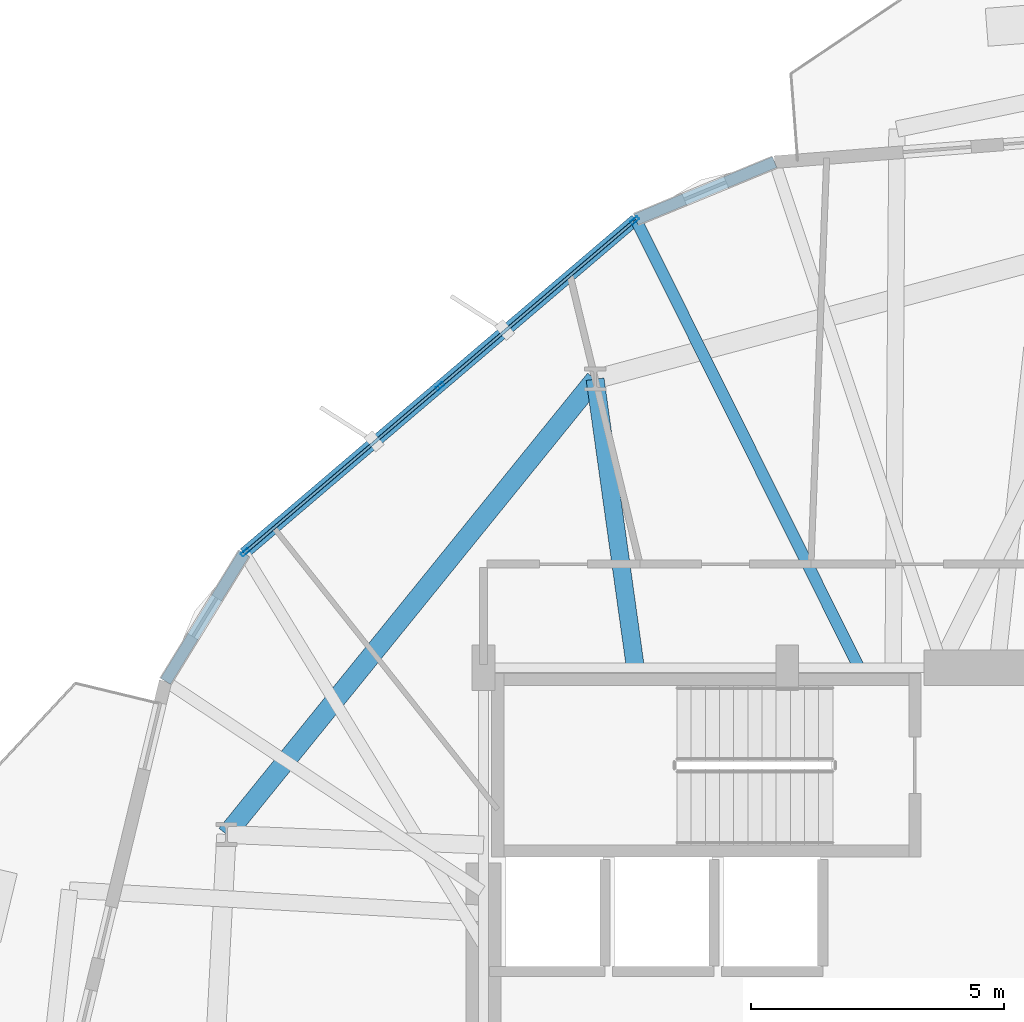
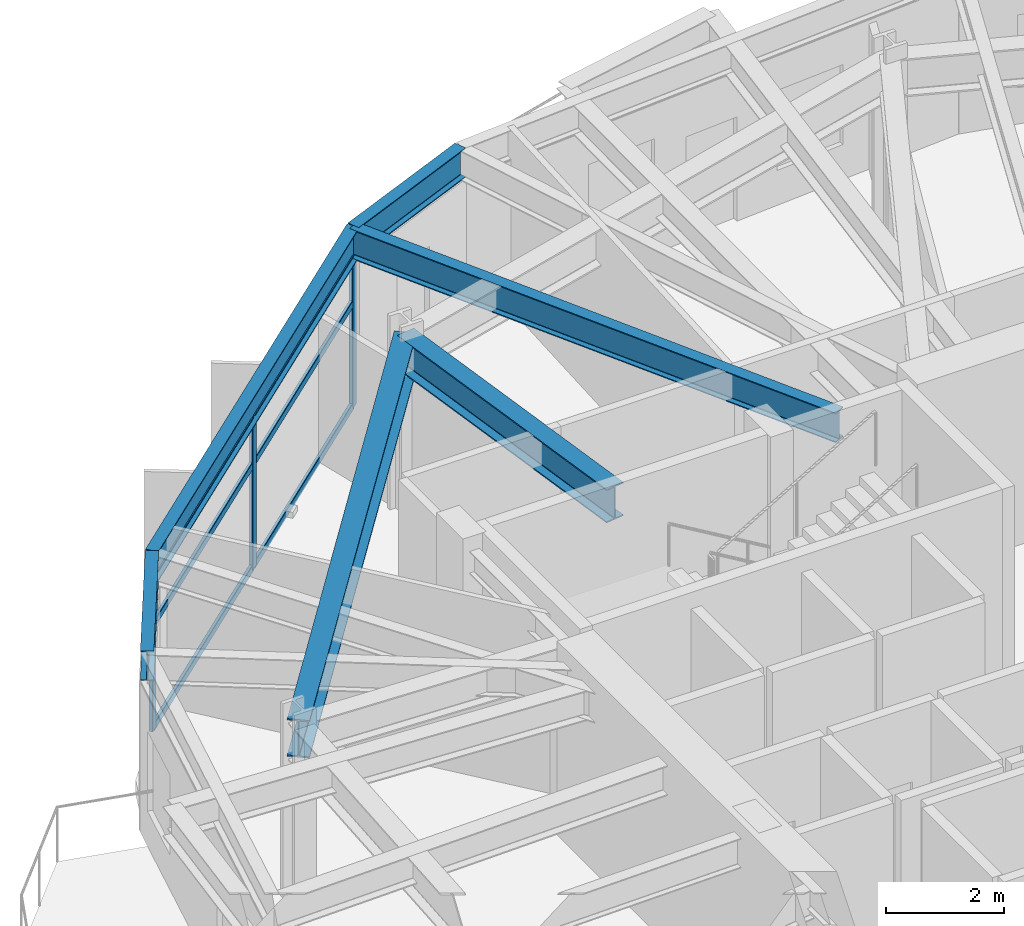
# One storey, part 12 of 22: 9 members, 6 beams, 1 element without a shape of its own.
"""IFC4 building model written with IfcOpenShell, lengths in metres."""

from ifc_helpers import new_model, si_unit, direction, frame, origin, origin_2d, place, context, subcontext, project, spatial, hollow_rectangle, i_section, extrude, material, layer, layer_set, material_profile, profile_set, type_object, element, aggregate, save


model = new_model("IFC4")

# Units and contexts
model_context = context("Model", 3, precision=1e-05, world=origin(), true_north=direction((0.0, 1.0)))
body_context = subcontext(model_context, "Body", "Model", "MODEL_VIEW")
ifc_project = project(units=[si_unit("LENGTHUNIT", "METRE"), si_unit("AREAUNIT", "SQUARE_METRE"), si_unit("VOLUMEUNIT", "CUBIC_METRE"), si_unit("PLANEANGLEUNIT", "RADIAN"), si_unit("MASSUNIT", "GRAM", prefix="KILO")], contexts=[model_context])

# Site, building, storey
site_placement = place(None, origin())
site = spatial("IfcSite", under=ifc_project, at=site_placement, CompositionType="ELEMENT")
building_placement = place(site_placement, origin())
building = spatial("IfcBuilding", under=site, at=building_placement, Name="Soratama Intermodal Tower", CompositionType="ELEMENT")
storey_placement = place(building_placement, frame((0.0, 0.0, 50.60009765625)))
storey = spatial("IfcBuildingStorey", under=building, at=storey_placement, Name="L11", CompositionType="ELEMENT", Elevation=50.60009765625)

# Beams
ifc_material_1 = material(Name="Structural steel ASTM A992 Grade 50", Category="steel")
ifc_material_profile_1 = material_profile(ifc_material_1, i_section(OverallWidth=0.35498046875, OverallDepth=0.695068359375, WebThickness=0.015380859375, FlangeThickness=0.02490234375, FilletRadius=0.01611328125, at=origin_2d()), Name="W27X146")
ifc_profile_set_1 = profile_set([ifc_material_profile_1], Name="Structural steel ASTM A992 Grade 50")
beam_type_1 = type_object("IfcBeamType", Name="BM-RING-W27X146", PredefinedType="BEAM", material=ifc_profile_set_1)
beam_1_placement = place(storey_placement, frame((35.60009765625, 35.0, 3.352294921875), z_axis=(-0.138332473065, 0.990385847484, 0.0), x_axis=(-0.990385847484, -0.138332473065, 0.0)))
element("IfcBeam", 1, at=beam_1_placement, inside=storey, type_object=beam_type_1, Name="BM-L11-RAD-04", PredefinedType="BEAM", context=body_context, shape_type="SweptSolid", body=[
    extrude(i_section(OverallWidth=0.35498046875, OverallDepth=0.695068359375, WebThickness=0.015380859375, FlangeThickness=0.02490234375, FilletRadius=0.01611328125, at=origin_2d()), origin(), (0.0, 0.0, 1.0), 5.75537109375),
])
ifc_material_2 = material(Name="Structural steel ASTM A992 Grade 50", Category="steel")
ifc_material_profile_2 = material_profile(ifc_material_2, i_section(OverallWidth=0.382080078125, OverallDepth=0.779052734375, WebThickness=0.01806640625, FlangeThickness=0.030029296875, FilletRadius=0.01806640625, at=origin_2d()), Name="W30X191")
ifc_profile_set_2 = profile_set([ifc_material_profile_2], Name="Structural steel ASTM A992 Grade 50")
beam_type_2 = type_object("IfcBeamType", Name="BM-RING-W30X191", PredefinedType="BEAM", material=ifc_profile_set_2)
beam_2_placement = place(storey_placement, frame((34.803955078125, 40.699951171875, 3.310302734375), z_axis=(-0.629334198857, -0.777134779912, 0.0), x_axis=(0.777134779912, -0.629334198857, 0.0)))
element("IfcBeam", 2, at=beam_2_placement, inside=storey, type_object=beam_type_2, Name="BM-L11-RING-04", PredefinedType="BEAM", context=body_context, shape_type="SweptSolid", body=[
    extrude(i_section(OverallWidth=0.382080078125, OverallDepth=0.779052734375, WebThickness=0.01806640625, FlangeThickness=0.030029296875, FilletRadius=0.01806640625, at=origin_2d()), origin(), (0.0, 0.0, 1.0), 11.5693359375),
])
ifc_material_3 = material(Name="Structural steel ASTM A992 Grade 50", Category="steel")
ifc_material_profile_3 = material_profile(ifc_material_3, i_section(OverallWidth=0.22900390625, OverallDepth=0.612060546875, WebThickness=0.011962890625, FlangeThickness=0.01953125, FilletRadius=0.012939453125, at=origin_2d()), Name="W24X84")
ifc_profile_set_3 = profile_set([ifc_material_profile_3], Name="Structural steel ASTM A992 Grade 50")
beam_type_3 = type_object("IfcBeamType", Name="BM-SPN-W24X84", PredefinedType="SPANDREL", material=ifc_profile_set_3)
beam_3_placement = place(storey_placement, frame((38.35009765625, 44.988037109375, 3.393798828125), z_axis=(-0.924212188016, -0.381879341576, 0.0), x_axis=(0.381879341576, -0.924212188016, 0.0)))
element("IfcBeam", 3, at=beam_3_placement, inside=storey, type_object=beam_type_3, Name="BS-L11-CRN03", PredefinedType="SPANDREL", context=body_context, shape_type="SweptSolid", body=[
    extrude(i_section(OverallWidth=0.22900390625, OverallDepth=0.612060546875, WebThickness=0.011962890625, FlangeThickness=0.01953125, FilletRadius=0.012939453125, at=origin_2d()), origin(), (0.0, 0.0, 1.0), 2.967041015625),
])
beam_4_placement = place(storey_placement, frame((35.60791015625, 43.85498046875, 3.393798828125), z_axis=(-0.761086431375, -0.648650479054, 0.0), x_axis=(0.648650479054, -0.761086431375, 0.0)))
element("IfcBeam", 4, at=beam_4_placement, inside=storey, type_object=beam_type_3, Name="BS-L11-F04", PredefinedType="SPANDREL", context=body_context, shape_type="SweptSolid", body=[
    extrude(i_section(OverallWidth=0.22900390625, OverallDepth=0.612060546875, WebThickness=0.011962890625, FlangeThickness=0.01953125, FilletRadius=0.012939453125, at=origin_2d()), origin(), (0.0, 0.0, 1.0), 10.164306640625),
])
beam_5_placement = place(storey_placement, frame((27.8720703125, 37.261962890625, 3.393798828125), z_axis=(-0.523422373191, -0.852073364942, 0.0), x_axis=(0.852073364942, -0.523422373191, 0.0)))
element("IfcBeam", 5, at=beam_5_placement, inside=storey, type_object=beam_type_3, Name="BS-L11-CRN04", PredefinedType="SPANDREL", context=body_context, shape_type="SweptSolid", body=[
    extrude(i_section(OverallWidth=0.22900390625, OverallDepth=0.612060546875, WebThickness=0.011962890625, FlangeThickness=0.01953125, FilletRadius=0.012939453125, at=origin_2d()), origin(), (0.0, 0.0, 1.0), 2.967041015625),
])
ifc_material_4 = material(Name="Structural steel ASTM A992 Grade 50", Category="steel")
ifc_material_profile_4 = material_profile(ifc_material_4, i_section(OverallWidth=0.22900390625, OverallDepth=0.612060546875, WebThickness=0.011962890625, FlangeThickness=0.01953125, FilletRadius=0.012939453125, at=origin_2d()), Name="W24X84")
ifc_profile_set_4 = profile_set([ifc_material_profile_4], Name="Structural steel ASTM A992 Grade 50")
beam_type_4 = type_object("IfcBeamType", Name="BM-TIE-W24X84", PredefinedType="BEAM", material=ifc_profile_set_4)
beam_6_placement = place(storey_placement, frame((40.0009765625, 35.035888671875, 3.393798828125), z_axis=(-0.445875023963, 0.895095225664, 0.0), x_axis=(-0.895095225664, -0.445875023963, 0.0)))
element("IfcBeam", 6, at=beam_6_placement, inside=storey, type_object=beam_type_4, Name="BM-L11-TIE0-04", PredefinedType="BEAM", context=body_context, shape_type="SweptSolid", body=[
    extrude(i_section(OverallWidth=0.22900390625, OverallDepth=0.612060546875, WebThickness=0.011962890625, FlangeThickness=0.01953125, FilletRadius=0.012939453125, at=origin_2d()), origin(), (0.0, 0.0, 1.0), 9.852783203125),
])

# Curtain wall, members
ifc_material_5 = material(Name="Double-glazed aluminium curtain wall", Category="aluminium")
ifc_layer = layer(ifc_material_5, 0.159912109375)
ifc_layer_set = layer_set([ifc_layer], Name="Double-glazed aluminium curtain wall")
curtain_wall_type = type_object("IfcCurtainWallType", Name="CW-SYS-2", PredefinedType="NOTDEFINED", material=ifc_layer_set)
curtain_wall_placement = place(storey_placement, origin())
curtain_wall = element("IfcCurtainWall", 7, at=curtain_wall_placement, inside=storey, type_object=curtain_wall_type, Name="L11 Faceted Curtain Wall F04", PredefinedType="NOTDEFINED")
ifc_material_6 = material(Name="Anodised aluminium AA 6063-T6", Category="aluminium")
ifc_material_profile_5 = material_profile(ifc_material_6, hollow_rectangle(XDim=0.074951171875, YDim=0.179931640625, WallThickness=0.006103515625, InnerFilletRadius=0.006103515625, OuterFilletRadius=0.011962890625, at=origin_2d()), Name="CWM180X75X6")
ifc_profile_set_5 = profile_set([ifc_material_profile_5], Name="Anodised aluminium AA 6063-T6")
member_type_1 = type_object("IfcMemberType", Name="MT-CWM-2", PredefinedType="MULLION", material=ifc_profile_set_5)
member_1_placement = place(storey_placement, frame((35.585205078125, 43.8359375, 0.0), z_axis=(0.0, 0.0, 1.0), x_axis=(0.648652448642, -0.761084752752, 0.0)))
member_1 = element("IfcMember", 8, at=member_1_placement, type_object=member_type_1, Name="CW-2 mullion 1", PredefinedType="MULLION", context=body_context, shape_type="SweptSolid", body=[
    extrude(hollow_rectangle(XDim=0.074951171875, YDim=0.179931640625, WallThickness=0.006103515625, InnerFilletRadius=0.006103515625, OuterFilletRadius=0.011962890625, at=origin_2d()), origin(), (0.0, 0.0, 1.0), 3.078857421875),
])
member_2_placement = place(storey_placement, frame((31.73974609375, 40.55859375, 0.0), z_axis=(0.0, 0.0, 1.0), x_axis=(0.648652448642, -0.761084752752, 0.0)))
member_2 = element("IfcMember", 9, at=member_2_placement, type_object=member_type_1, Name="CW-2 mullion 2", PredefinedType="MULLION", context=body_context, shape_type="SweptSolid", body=[
    extrude(hollow_rectangle(XDim=0.074951171875, YDim=0.179931640625, WallThickness=0.006103515625, InnerFilletRadius=0.006103515625, OuterFilletRadius=0.011962890625, at=origin_2d()), origin(), (0.0, 0.0, 1.0), 3.078857421875),
])
member_3_placement = place(storey_placement, frame((27.894287109375, 37.28125, 0.0), z_axis=(0.0, 0.0, 1.0), x_axis=(0.648652448642, -0.761084752752, 0.0)))
member_3 = element("IfcMember", 10, at=member_3_placement, type_object=member_type_1, Name="CW-2 mullion 3", PredefinedType="MULLION", context=body_context, shape_type="SweptSolid", body=[
    extrude(hollow_rectangle(XDim=0.074951171875, YDim=0.179931640625, WallThickness=0.006103515625, InnerFilletRadius=0.006103515625, OuterFilletRadius=0.011962890625, at=origin_2d()), origin(), (0.0, 0.0, 1.0), 3.078857421875),
])
ifc_material_7 = material(Name="Anodised aluminium AA 6063-T6", Category="aluminium")
ifc_material_profile_6 = material_profile(ifc_material_7, hollow_rectangle(XDim=0.06494140625, YDim=0.14990234375, WallThickness=0.0048828125, InnerFilletRadius=0.0048828125, OuterFilletRadius=0.010009765625, at=origin_2d()), Name="CWT150X65X5")
ifc_profile_set_6 = profile_set([ifc_material_profile_6], Name="Anodised aluminium AA 6063-T6")
member_type_2 = type_object("IfcMemberType", Name="TT-CWT-1", PredefinedType="USERDEFINED", material=ifc_profile_set_6)
member_4_placement = place(storey_placement, frame((35.5625, 43.816650390625, 0.02978515625), z_axis=(-0.761079597276, -0.648658497678, 0.0), x_axis=(0.648658497678, -0.761079597276, 0.0)))
member_4 = element("IfcMember", 11, at=member_4_placement, type_object=member_type_2, Name="CW-2 transom 1.1", ObjectType="TRANSOM", PredefinedType="USERDEFINED", context=body_context, shape_type="SweptSolid", body=[
    extrude(hollow_rectangle(XDim=0.06494140625, YDim=0.14990234375, WallThickness=0.0048828125, InnerFilletRadius=0.0048828125, OuterFilletRadius=0.010009765625, at=origin_2d()), origin(), (0.0, 0.0, 1.0), 4.99267578125),
])
member_5_placement = place(storey_placement, frame((35.5625, 43.816650390625, 2.14990234375), z_axis=(-0.761079597276, -0.648658497678, 0.0), x_axis=(0.648658497678, -0.761079597276, 0.0)))
member_5 = element("IfcMember", 12, at=member_5_placement, type_object=member_type_2, Name="CW-2 transom 1.2", ObjectType="TRANSOM", PredefinedType="USERDEFINED", context=body_context, shape_type="SweptSolid", body=[
    extrude(hollow_rectangle(XDim=0.06494140625, YDim=0.14990234375, WallThickness=0.0048828125, InnerFilletRadius=0.0048828125, OuterFilletRadius=0.010009765625, at=origin_2d()), origin(), (0.0, 0.0, 1.0), 4.99267578125),
])
member_6_placement = place(storey_placement, frame((35.5625, 43.816650390625, 3.048828125), z_axis=(-0.761079597276, -0.648658497678, 0.0), x_axis=(0.648658497678, -0.761079597276, 0.0)))
member_6 = element("IfcMember", 13, at=member_6_placement, type_object=member_type_2, Name="CW-2 transom 1.3", ObjectType="TRANSOM", PredefinedType="USERDEFINED", context=body_context, shape_type="SweptSolid", body=[
    extrude(hollow_rectangle(XDim=0.06494140625, YDim=0.14990234375, WallThickness=0.0048828125, InnerFilletRadius=0.0048828125, OuterFilletRadius=0.010009765625, at=origin_2d()), origin(), (0.0, 0.0, 1.0), 4.99267578125),
])
member_7_placement = place(storey_placement, frame((31.717041015625, 40.539306640625, 0.02978515625), z_axis=(-0.761079597276, -0.648658497678, 0.0), x_axis=(0.648658497678, -0.761079597276, 0.0)))
member_7 = element("IfcMember", 14, at=member_7_placement, type_object=member_type_2, Name="CW-2 transom 2.1", ObjectType="TRANSOM", PredefinedType="USERDEFINED", context=body_context, shape_type="SweptSolid", body=[
    extrude(hollow_rectangle(XDim=0.06494140625, YDim=0.14990234375, WallThickness=0.0048828125, InnerFilletRadius=0.0048828125, OuterFilletRadius=0.010009765625, at=origin_2d()), origin(), (0.0, 0.0, 1.0), 4.99267578125),
])
member_8_placement = place(storey_placement, frame((31.717041015625, 40.539306640625, 2.14990234375), z_axis=(-0.761079597276, -0.648658497678, 0.0), x_axis=(0.648658497678, -0.761079597276, 0.0)))
member_8 = element("IfcMember", 15, at=member_8_placement, type_object=member_type_2, Name="CW-2 transom 2.2", ObjectType="TRANSOM", PredefinedType="USERDEFINED", context=body_context, shape_type="SweptSolid", body=[
    extrude(hollow_rectangle(XDim=0.06494140625, YDim=0.14990234375, WallThickness=0.0048828125, InnerFilletRadius=0.0048828125, OuterFilletRadius=0.010009765625, at=origin_2d()), origin(), (0.0, 0.0, 1.0), 4.99267578125),
])
member_9_placement = place(storey_placement, frame((31.717041015625, 40.539306640625, 3.048828125), z_axis=(-0.761079597276, -0.648658497678, 0.0), x_axis=(0.648658497678, -0.761079597276, 0.0)))
member_9 = element("IfcMember", 16, at=member_9_placement, type_object=member_type_2, Name="CW-2 transom 2.3", ObjectType="TRANSOM", PredefinedType="USERDEFINED", context=body_context, shape_type="SweptSolid", body=[
    extrude(hollow_rectangle(XDim=0.06494140625, YDim=0.14990234375, WallThickness=0.0048828125, InnerFilletRadius=0.0048828125, OuterFilletRadius=0.010009765625, at=origin_2d()), origin(), (0.0, 0.0, 1.0), 4.99267578125),
])
aggregate(curtain_wall, [member_1, member_2, member_3, member_4, member_5, member_6, member_7, member_8, member_9])

save(model, "model.ifc")
